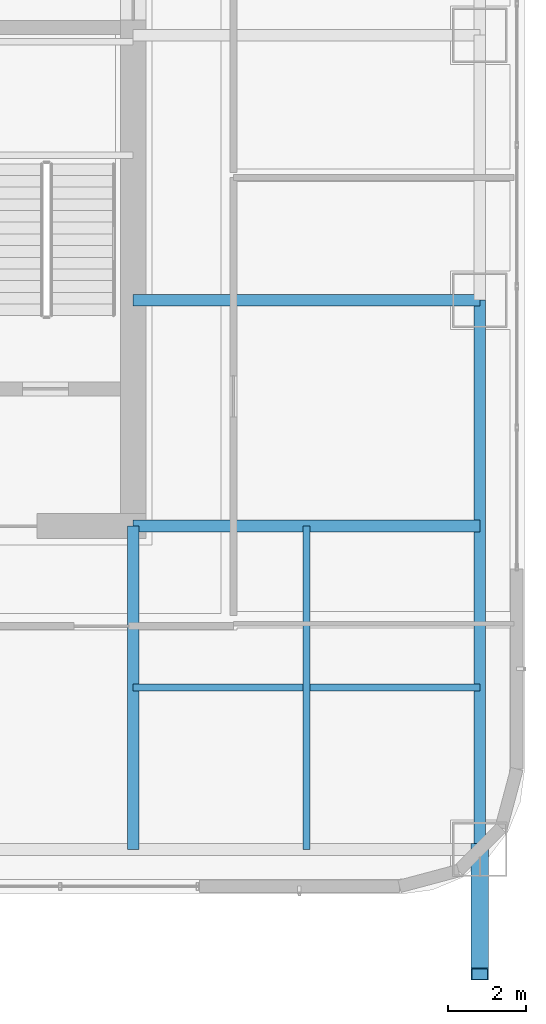
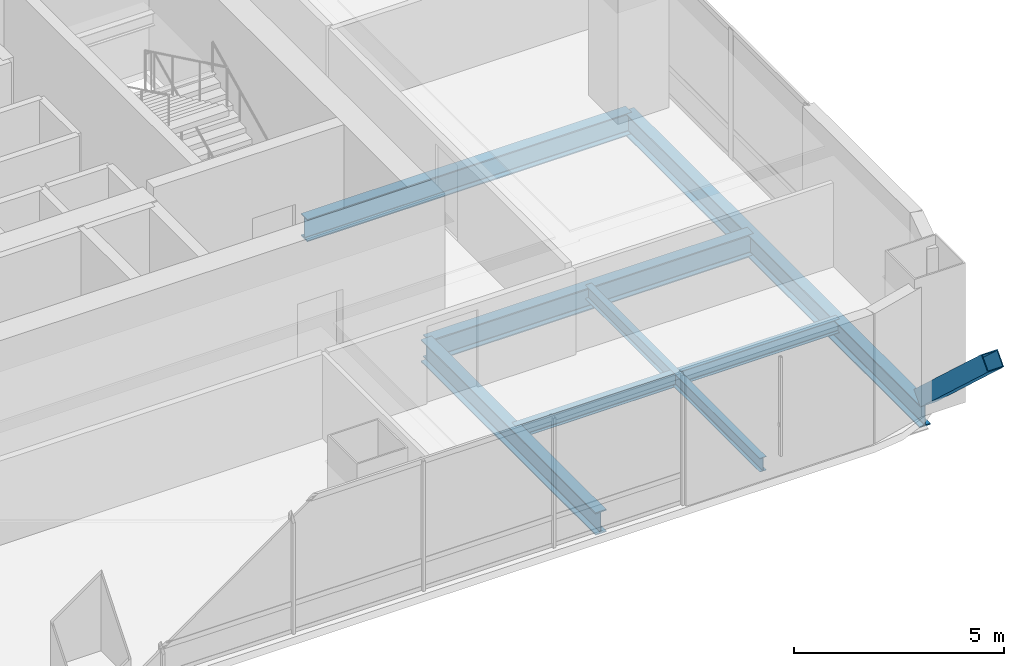
# One storey, part 15 of 47: 6 beams, 1 member.
"""IFC4 building model written with IfcOpenShell, lengths in metres."""

from ifc_helpers import new_model, si_unit, direction, frame, origin, origin_2d, place, context, subcontext, project, spatial, hollow_rectangle, i_section, extrude, material, material_profile, profile_set, type_object, element, save


model = new_model("IFC4")

# Units and contexts
model_context = context("Model", 3, precision=1e-05, world=origin(), true_north=direction((0.0, 1.0)))
body_context = subcontext(model_context, "Body", "Model", "MODEL_VIEW")
ifc_project = project(units=[si_unit("LENGTHUNIT", "METRE"), si_unit("AREAUNIT", "SQUARE_METRE"), si_unit("VOLUMEUNIT", "CUBIC_METRE"), si_unit("PLANEANGLEUNIT", "RADIAN"), si_unit("MASSUNIT", "GRAM", prefix="KILO")], contexts=[model_context])

# Site, building, storey
site_placement = place(None, origin())
site = spatial("IfcSite", under=ifc_project, at=site_placement, CompositionType="ELEMENT")
building_placement = place(site_placement, origin())
building = spatial("IfcBuilding", under=site, at=building_placement, Name="Punatoya Terracotta Tower", CompositionType="ELEMENT")
storey_placement = place(building_placement, frame((0.0, 0.0, 168.14990234375)))
storey = spatial("IfcBuildingStorey", under=building, at=storey_placement, Name="L39", CompositionType="ELEMENT", Elevation=168.14990234375)

# Beams
ifc_material_1 = material(Name="Steel S355", Category="steel")
ifc_material_profile_1 = material_profile(ifc_material_1, i_section(OverallWidth=0.300048828125, OverallDepth=0.64990234375, WebThickness=0.01611328125, FlangeThickness=0.031005859375, FilletRadius=0.01806640625, at=origin_2d()))
ifc_profile_set_1 = profile_set([ifc_material_profile_1], Name="Steel S355")
beam_type_1 = type_object("IfcBeamType", Name="BM-PRI-650", PredefinedType="BEAM", material=ifc_profile_set_1)
beam_1_placement = place(storey_placement, frame((19.10009765625, -17.5, -0.544921875), z_axis=(0.0, 1.0, 0.0), x_axis=(-1.0, 0.0, 0.0)))
element("IfcBeam", 1, at=beam_1_placement, inside=storey, type_object=beam_type_1, Name="BM-L39-RG-E1", PredefinedType="BEAM", context=body_context, shape_type="SweptSolid", body=[
    extrude(i_section(OverallWidth=0.300048828125, OverallDepth=0.64990234375, WebThickness=0.01611328125, FlangeThickness=0.031005859375, FilletRadius=0.01806640625, at=origin_2d()), origin(), (0.0, 0.0, 1.0), 14.10009765625),
])
for number, where, z_axis, x_axis, name in (
    (2, (10.199951171875, -9.199951171875, -0.544921875), (1.0, 0.0, 0.0), (0.0, 1.0, 0.0), "BM-L39-PR-ES"),
    (3, (10.199951171875, -3.39990234375, -0.544921875), (1.0, 0.0, 0.0), (0.0, 1.0, 0.0), "BM-L39-PR-ED"),
):
    element("IfcBeam", number, at=place(storey_placement, frame(where, z_axis=z_axis, x_axis=x_axis)), inside=storey, type_object=beam_type_1, Name=name, PredefinedType="BEAM", context=body_context, shape_type="SweptSolid", body=[
        extrude(i_section(OverallWidth=0.300048828125, OverallDepth=0.64990234375, WebThickness=0.01611328125, FlangeThickness=0.031005859375, FilletRadius=0.01806640625, at=origin_2d()), origin(), (0.0, 0.0, 1.0), 8.900146484375),
    ])
beam_2_placement = place(storey_placement, frame((10.199951171875, -17.5, -0.544921875), z_axis=(0.0, 1.0, 0.0), x_axis=(-1.0, 0.0, 0.0)))
element("IfcBeam", 4, at=beam_2_placement, inside=storey, type_object=beam_type_1, Name="BM-L39-PR-S4", PredefinedType="BEAM", context=body_context, shape_type="SweptSolid", body=[
    extrude(i_section(OverallWidth=0.300048828125, OverallDepth=0.64990234375, WebThickness=0.01611328125, FlangeThickness=0.031005859375, FilletRadius=0.01806640625, at=origin_2d()), origin(), (0.0, 0.0, 1.0), 8.300048828125),
])
ifc_material_profile_2 = material_profile(ifc_material_1, i_section(OverallWidth=0.179931640625, OverallDepth=0.39990234375, WebThickness=0.008544921875, FlangeThickness=0.013427734375, FilletRadius=0.01806640625, at=origin_2d()))
ifc_profile_set_2 = profile_set([ifc_material_profile_2], Name="Steel S355")
beam_type_2 = type_object("IfcBeamType", Name="BM-SEC-400", PredefinedType="JOIST", material=ifc_profile_set_2)
beam_3_placement = place(storey_placement, frame((10.199951171875, -13.35009765625, -0.419921875), z_axis=(1.0, 0.0, 0.0), x_axis=(0.0, 1.0, 0.0)))
element("IfcBeam", 5, at=beam_3_placement, inside=storey, type_object=beam_type_2, Name="BM-L39-SJS-2", PredefinedType="JOIST", context=body_context, shape_type="SweptSolid", body=[
    extrude(i_section(OverallWidth=0.179931640625, OverallDepth=0.39990234375, WebThickness=0.008544921875, FlangeThickness=0.013427734375, FilletRadius=0.01806640625, at=origin_2d()), origin(), (0.0, 0.0, 1.0), 8.900146484375),
])
beam_4_placement = place(storey_placement, frame((14.64990234375, -17.5, -0.419921875), z_axis=(0.0, 1.0, 0.0), x_axis=(-1.0, 0.0, 0.0)))
element("IfcBeam", 6, at=beam_4_placement, inside=storey, type_object=beam_type_2, Name="BM-L39-SJE-1", PredefinedType="JOIST", context=body_context, shape_type="SweptSolid", body=[
    extrude(i_section(OverallWidth=0.179931640625, OverallDepth=0.39990234375, WebThickness=0.008544921875, FlangeThickness=0.013427734375, FilletRadius=0.01806640625, at=origin_2d()), origin(), (0.0, 0.0, 1.0), 8.300048828125),
])

# Member
ifc_material_2 = material(Name="Steel S460", Category="steel")
ifc_material_profile_3 = material_profile(ifc_material_2, hollow_rectangle(XDim=0.449951171875, YDim=0.449951171875, WallThickness=0.02490234375, at=origin_2d()))
ifc_profile_set_3 = profile_set([ifc_material_profile_3], Name="Steel S460")
member_type = type_object("IfcMemberType", Name="MEM-STR-450", PredefinedType="STRUT", material=ifc_profile_set_3)
member_placement = place(storey_placement, frame((19.10009765625, -17.5, 0.02001953125), z_axis=(0.0, -0.735216213259, 0.67783266354), x_axis=(1.0, 0.0, 0.0)))
element("IfcMember", 7, at=member_placement, inside=storey, type_object=member_type, Name="L40 Cantilever Raking Knee-Strut S2", PredefinedType="STRUT", context=body_context, shape_type="SweptSolid", body=[
    extrude(hollow_rectangle(XDim=0.449951171875, YDim=0.449951171875, WallThickness=0.02490234375, at=origin_2d()), origin(), (0.0, 0.0, 1.0), 4.352294921875),
])

save(model, "model.ifc")
